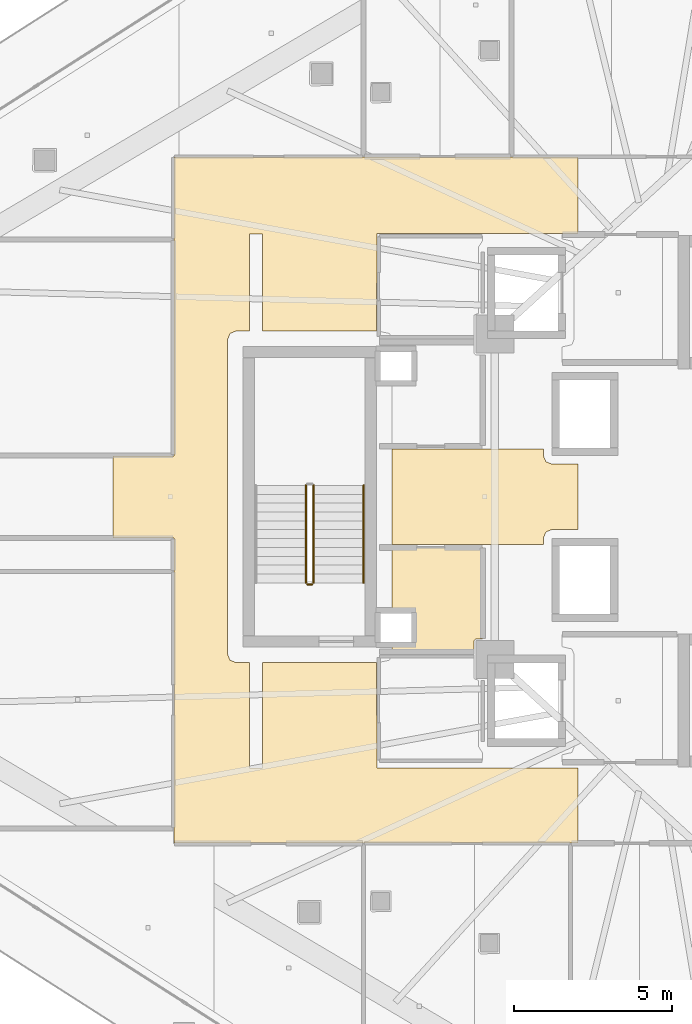
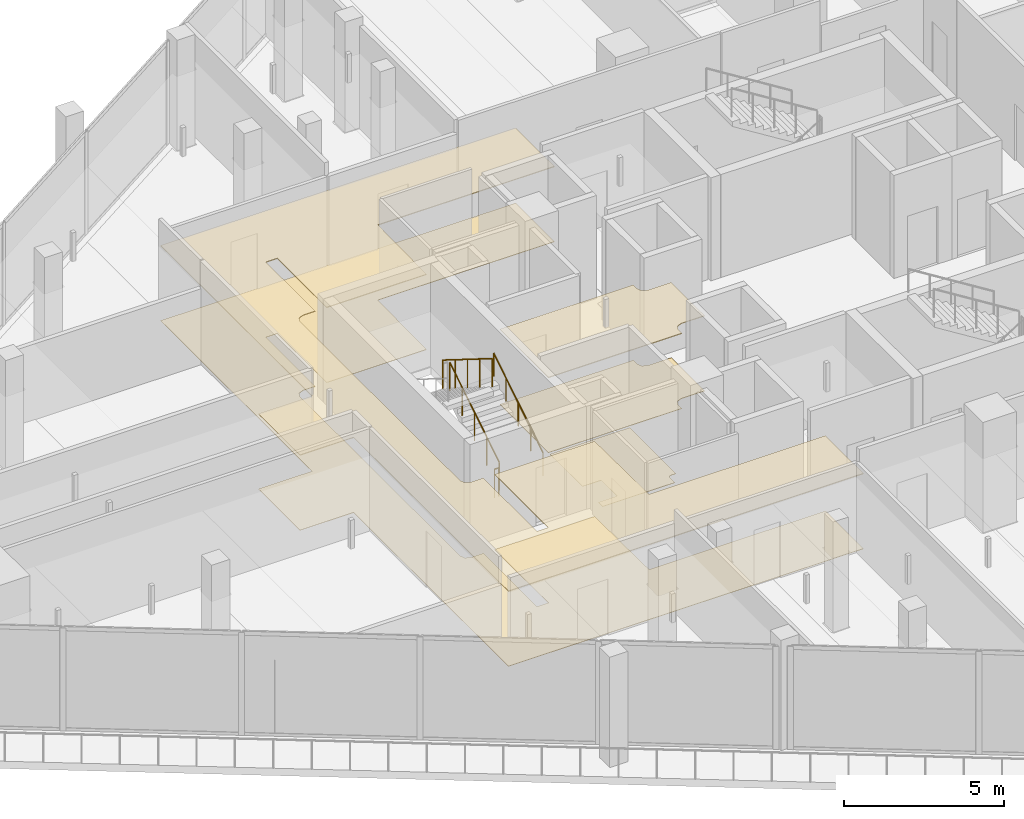
# One storey, part 40 of 47: 5 coverings, 4 railings.
"""IFC4 building model written with IfcOpenShell, lengths in metres."""

from ifc_helpers import new_model, si_unit, direction, frame, origin, origin_2d, place, context, subcontext, project, spatial, polyline, circle, outline, extrude, material, layer, layer_set, type_object, element, save


model = new_model("IFC4")

# Units and contexts
model_context = context("Model", 3, precision=1e-05, world=origin(), true_north=direction((0.0, 1.0)))
body_context = subcontext(model_context, "Body", "Model", "MODEL_VIEW")
ifc_project = project(units=[si_unit("LENGTHUNIT", "METRE"), si_unit("AREAUNIT", "SQUARE_METRE"), si_unit("VOLUMEUNIT", "CUBIC_METRE"), si_unit("PLANEANGLEUNIT", "RADIAN"), si_unit("MASSUNIT", "GRAM", prefix="KILO")], contexts=[model_context])

# Site, building, storey
site_placement = place(None, origin())
site = spatial("IfcSite", under=ifc_project, at=site_placement, CompositionType="ELEMENT")
building_placement = place(site_placement, origin())
building = spatial("IfcBuilding", under=site, at=building_placement, Name="Qorvath Tower", CompositionType="ELEMENT")
storey_placement = place(building_placement, frame((0.0, 0.0, 82.800048828125)))
storey = spatial("IfcBuildingStorey", under=building, at=storey_placement, Name="L18", CompositionType="ELEMENT", Elevation=82.800048828125)

# Coverings
ifc_material_1 = material(Name="Acoustic mineral fibre ceiling tile", Category="gypsum")
ifc_layer_1 = layer(ifc_material_1, 0.030029296875)
ifc_layer_set_1 = layer_set([ifc_layer_1], Name="COV-CEIL")
covering_type_1 = type_object("IfcCoveringType", Name="COV-CEIL", PredefinedType="CEILING", material=ifc_layer_set_1)
covering_1_placement = place(storey_placement, frame((0.0, 0.0, 2.849853515625)))
element("IfcCovering", 1, at=covering_1_placement, inside=storey, type_object=covering_type_1, Name="L18 Suspended Acoustic Ceiling 008", PredefinedType="CEILING", context=body_context, shape_type="SweptSolid", body=[
    extrude(outline(polyline([(-40.64990234375, -1.294921875), (-40.64501953125, -10.945068359375), (-27.866455078125, -10.945068359375), (-27.866455078125, -8.577392578125), (-34.219970703125, -8.5849609375), (-34.251220703125, -5.239990234375), (-37.844970703125, -5.239990234375), (-37.844970703125, -8.580078125), (-38.25341796875, -8.58349609375), (-38.2548828125, -5.239990234375), (-38.699951171875, -5.239990234375), (-38.876708984375, -5.166748046875), (-38.949951171875, -4.989990234375), (-38.949951171875, 4.989990234375), (-38.876708984375, 5.166748046875), (-38.699951171875, 5.239990234375), (-38.2548828125, 5.239990234375), (-38.2548828125, 8.320068359375), (-37.844970703125, 8.320068359375), (-37.844970703125, 5.239990234375), (-34.2509765625, 5.239990234375), (-34.219970703125, 8.324951171875), (-27.866455078125, 8.324951171875), (-27.866455078125, 10.7451171875), (-40.64501953125, 10.7451171875), (-40.646484375, 1.29638671875), (-42.577880859375, 1.29638671875), (-42.577880859375, -1.294921875), (-40.64990234375, -1.294921875)])), origin(), (0.0, 0.0, 1.0), 0.030029296875),
])
covering_2_placement = place(storey_placement, frame((0.0, 0.0, 2.849853515625)))
element("IfcCovering", 2, at=covering_2_placement, inside=storey, type_object=covering_type_1, Name="L18 Suspended Acoustic Ceiling 009", PredefinedType="CEILING", context=body_context, shape_type="SweptSolid", body=[
    extrude(outline(polyline([(-27.866455078125, -1.0400390625), (-27.866455078125, 1.0400390625), (-28.7099609375, 1.0400390625), (-28.88671875, 1.11328125), (-28.9599609375, 1.2900390625), (-28.9599609375, 1.514892578125), (-33.760009765625, 1.514892578125), (-33.760009765625, -1.514892578125), (-28.9599609375, -1.514892578125), (-28.9599609375, -1.2900390625), (-28.88671875, -1.11328125), (-28.7099609375, -1.0400390625), (-27.866455078125, -1.0400390625)])), origin(), (0.0, 0.0, 1.0), 0.030029296875),
])
ifc_material_2 = material(Name="Low-VOC modular carpet tile", Category="textile")
ifc_layer_2 = layer(ifc_material_2, 0.014892578125)
ifc_layer_set_2 = layer_set([ifc_layer_2], Name="COV-FLOOR-CPT")
covering_type_2 = type_object("IfcCoveringType", Name="COV-FLOOR-CPT", PredefinedType="FLOORING", material=ifc_layer_set_2)
covering_3_placement = place(storey_placement, origin())
element("IfcCovering", 3, at=covering_3_placement, inside=storey, type_object=covering_type_2, Name="L18 Floor Finish 006", PredefinedType="FLOORING", context=body_context, shape_type="SweptSolid", body=[
    extrude(outline(polyline([(-30.885009765625, -4.489990234375), (-30.885009765625, -1.60498046875), (-33.760009765625, -1.60498046875), (-33.760009765625, -3.636962890625), (-33.08837890625, -3.638427734375), (-33.0869140625, -4.6279296875), (-33.760009765625, -4.633056640625), (-33.760009765625, -4.89501953125), (-31.159912109375, -4.89501953125), (-31.159912109375, -4.550048828125), (-31.10009765625, -4.489990234375), (-30.885009765625, -4.489990234375)])), origin(), (0.0, 0.0, 1.0), 0.014892578125),
])
ifc_material_3 = material(Name="Polished epoxy terrazzo flooring", Category="concrete")
ifc_layer_3 = layer(ifc_material_3, 0.02001953125)
ifc_layer_set_3 = layer_set([ifc_layer_3], Name="COV-FLOOR-TRZ")
covering_type_3 = type_object("IfcCoveringType", Name="COV-FLOOR-TRZ", PredefinedType="FLOORING", material=ifc_layer_set_3)
covering_4_placement = place(storey_placement, origin())
element("IfcCovering", 4, at=covering_4_placement, inside=storey, type_object=covering_type_3, Name="L18 Floor Finish 008", PredefinedType="FLOORING", context=body_context, shape_type="SweptSolid", body=[
    extrude(outline(polyline([(-40.64990234375, -1.294921875), (-40.64501953125, -10.945068359375), (-27.866455078125, -10.945068359375), (-27.866455078125, -8.577392578125), (-34.219970703125, -8.5849609375), (-34.251220703125, -5.239990234375), (-37.844970703125, -5.239990234375), (-37.844970703125, -8.580078125), (-38.25341796875, -8.58349609375), (-38.2548828125, -5.239990234375), (-38.699951171875, -5.239990234375), (-38.876708984375, -5.166748046875), (-38.949951171875, -4.989990234375), (-38.949951171875, 4.989990234375), (-38.876708984375, 5.166748046875), (-38.699951171875, 5.239990234375), (-38.2548828125, 5.239990234375), (-38.2548828125, 8.320068359375), (-37.844970703125, 8.320068359375), (-37.844970703125, 5.239990234375), (-34.2509765625, 5.239990234375), (-34.219970703125, 8.324951171875), (-27.866455078125, 8.324951171875), (-27.866455078125, 10.7451171875), (-40.64501953125, 10.7451171875), (-40.646484375, 1.29638671875), (-42.577880859375, 1.29638671875), (-42.577880859375, -1.294921875), (-40.64990234375, -1.294921875)])), origin(), (0.0, 0.0, 1.0), 0.014892578125),
])
covering_5_placement = place(storey_placement, origin())
element("IfcCovering", 5, at=covering_5_placement, inside=storey, type_object=covering_type_3, Name="L18 Floor Finish 009", PredefinedType="FLOORING", context=body_context, shape_type="SweptSolid", body=[
    extrude(outline(polyline([(-27.866455078125, -1.0400390625), (-27.866455078125, 1.0400390625), (-28.7099609375, 1.0400390625), (-28.88671875, 1.11328125), (-28.9599609375, 1.2900390625), (-28.9599609375, 1.514892578125), (-33.760009765625, 1.514892578125), (-33.760009765625, -1.514892578125), (-28.9599609375, -1.514892578125), (-28.9599609375, -1.2900390625), (-28.88671875, -1.11328125), (-28.7099609375, -1.0400390625), (-27.866455078125, -1.0400390625)])), origin(), (0.0, 0.0, 1.0), 0.014892578125),
])

# Railings
ifc_material_4 = material(Name="Painted galvanised steel", Category="steel")
railing_type_1 = type_object("IfcRailingType", Name="RL-STR-GRD", PredefinedType="GUARDRAIL", material=ifc_material_4)
railing_1_placement = place(storey_placement, frame((-36.22998046875, -2.719970703125, 0.175048828125)))
element("IfcRailing", 6, at=railing_1_placement, inside=storey, type_object=railing_type_1, Name="L18 TS3 stair guard 1", PredefinedType="GUARDRAIL", context=body_context, shape_type="SweptSolid", body=[
    extrude(circle(Radius=0.02392578125, at=origin_2d()), frame((0.0, 0.0, 1.076171875), z_axis=(0.0, 0.848028513186, 0.529950602248), x_axis=(-1.0, 0.0, 0.0)), (0.0, 0.0, 1.0), 3.632080078125),
    extrude(circle(Radius=0.02099609375, at=origin_2d()), origin(), (0.0, 0.0, 1.0), 1.052001953125),
    extrude(circle(Radius=0.02099609375, at=origin_2d()), frame((0.0, 0.77001953125, 0.481201171875)), (0.0, 0.0, 1.0), 1.052001953125),
    extrude(circle(Radius=0.02099609375, at=origin_2d()), frame((0.0, 1.5400390625, 0.96240234375)), (0.0, 0.0, 1.0), 1.052001953125),
    extrude(circle(Radius=0.02099609375, at=origin_2d()), frame((0.0, 2.31005859375, 1.443603515625)), (0.0, 0.0, 1.0), 1.052001953125),
    extrude(circle(Radius=0.02099609375, at=origin_2d()), frame((0.0, 3.080078125, 1.9248046875)), (0.0, 0.0, 1.0), 1.052001953125),
])
railing_2_placement = place(storey_placement, frame((-36.47998046875, 0.360107421875, 2.27490234375)))
element("IfcRailing", 7, at=railing_2_placement, inside=storey, type_object=railing_type_1, Name="L18 TS3 stair guard 3", PredefinedType="GUARDRAIL", context=body_context, shape_type="SweptSolid", body=[
    extrude(circle(Radius=0.02392578125, at=origin_2d()), frame((0.0, 0.0, 1.076171875), z_axis=(0.0, -0.847998304005, 0.529998940003), x_axis=(1.0, 0.0, 0.0)), (0.0, 0.0, 1.0), 3.632080078125),
    extrude(circle(Radius=0.02099609375, at=origin_2d()), origin(), (0.0, 0.0, 1.0), 1.052001953125),
    extrude(circle(Radius=0.02099609375, at=origin_2d()), frame((0.0, -0.77001953125, 0.481201171875)), (0.0, 0.0, 1.0), 1.052001953125),
    extrude(circle(Radius=0.02099609375, at=origin_2d()), frame((0.0, -1.5400390625, 0.96240234375)), (0.0, 0.0, 1.0), 1.052001953125),
    extrude(circle(Radius=0.02099609375, at=origin_2d()), frame((0.0, -2.31005859375, 1.44384765625)), (0.0, 0.0, 1.0), 1.052001953125),
    extrude(circle(Radius=0.02099609375, at=origin_2d()), frame((0.0, -3.080078125, 1.925048828125)), (0.0, 0.0, 1.0), 1.052001953125),
])
railing_3_placement = place(storey_placement, frame((-36.280029296875, -2.77001953125, 0.0)))
element("IfcRailing", 8, at=railing_3_placement, inside=storey, type_object=railing_type_1, Name="L18 TS3 stair guard 4", PredefinedType="GUARDRAIL", context=body_context, shape_type="SweptSolid", body=[
    extrude(circle(Radius=0.02392578125, at=origin_2d()), frame((0.0, 0.0, 1.076171875), z_axis=(-1.0, 0.0, 0.0), x_axis=(0.0, -1.0, 0.0)), (0.0, 0.0, 1.0), 0.14990234375),
    extrude(circle(Radius=0.02099609375, at=origin_2d()), origin(), (0.0, 0.0, 1.0), 1.052001953125),
    extrude(circle(Radius=0.02099609375, at=origin_2d()), frame((-0.14990234375, 0.0, 0.0)), (0.0, 0.0, 1.0), 1.052001953125),
])
ifc_material_5 = material(Name="Brushed stainless steel AISI 304", Category="steel")
railing_type_2 = type_object("IfcRailingType", Name="RL-STR-HND", PredefinedType="HANDRAIL", material=ifc_material_5)
railing_4_placement = place(storey_placement, frame((-34.64990234375, -2.719970703125, 0.175048828125)))
element("IfcRailing", 9, at=railing_4_placement, inside=storey, type_object=railing_type_2, Name="L18 TS3 stair handrail 1", PredefinedType="HANDRAIL", context=body_context, shape_type="SweptSolid", body=[
    extrude(circle(Radius=0.02392578125, at=origin_2d()), frame((0.0, 0.0, 0.8759765625), z_axis=(0.0, 0.848028513186, 0.529950602248), x_axis=(-1.0, 0.0, 0.0)), (0.0, 0.0, 1.0), 3.632080078125),
    extrude(circle(Radius=0.02099609375, at=origin_2d()), origin(), (0.0, 0.0, 1.0), 0.851806640625),
    extrude(circle(Radius=0.02099609375, at=origin_2d()), frame((0.0, 0.77001953125, 0.481201171875)), (0.0, 0.0, 1.0), 0.851806640625),
    extrude(circle(Radius=0.02099609375, at=origin_2d()), frame((0.0, 1.5400390625, 0.96240234375)), (0.0, 0.0, 1.0), 0.851806640625),
    extrude(circle(Radius=0.02099609375, at=origin_2d()), frame((0.0, 2.31005859375, 1.443603515625)), (0.0, 0.0, 1.0), 0.851806640625),
    extrude(circle(Radius=0.02099609375, at=origin_2d()), frame((0.0, 3.080078125, 1.9248046875)), (0.0, 0.0, 1.0), 0.851806640625),
])

save(model, "model.ifc")
